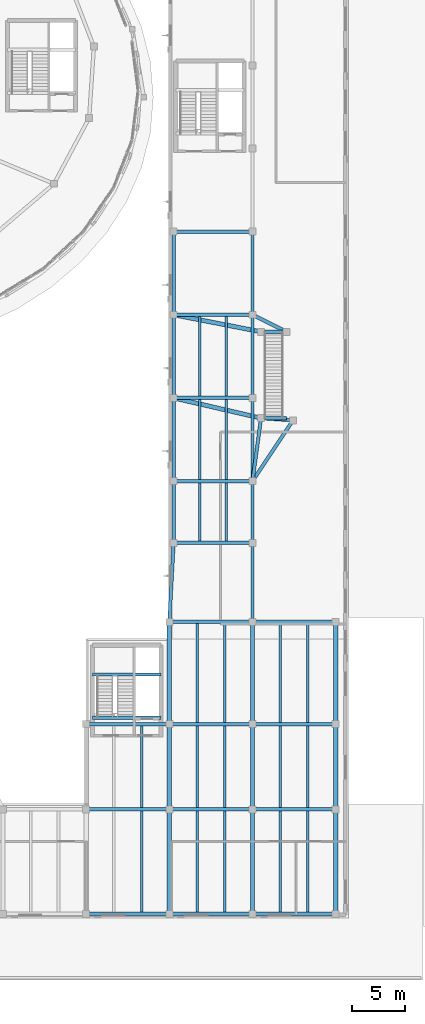
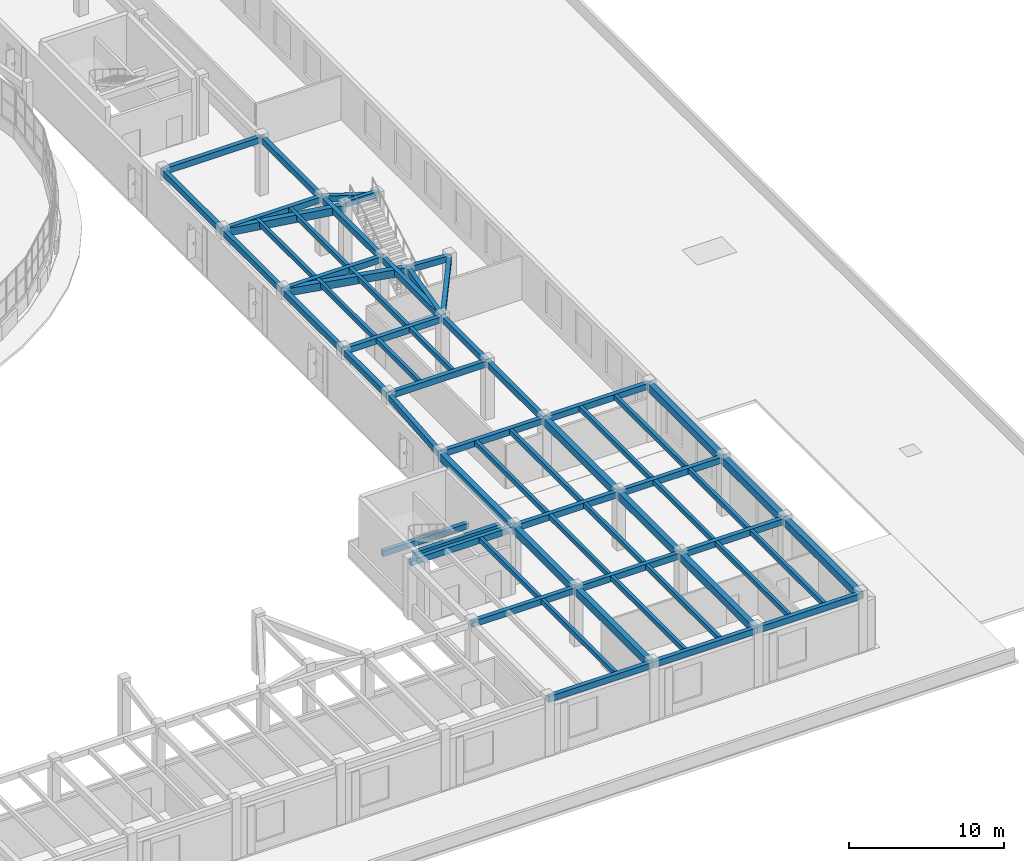
# One storey, part 63 of 105: 65 beams.
"""IFC4 building model written with IfcOpenShell, lengths in metres."""

from ifc_helpers import new_model, si_unit, direction, frame, origin, origin_2d, place, context, subcontext, project, spatial, rectangle, extrude, material, material_profile, profile_set, type_object, element, save


model = new_model("IFC4")

# Units and contexts
model_context = context("Model", 3, precision=1e-05, world=origin(), true_north=direction((0.0, 1.0)))
body_context = subcontext(model_context, "Body", "Model", "MODEL_VIEW")
ifc_project = project(units=[si_unit("LENGTHUNIT", "METRE"), si_unit("AREAUNIT", "SQUARE_METRE"), si_unit("VOLUMEUNIT", "CUBIC_METRE"), si_unit("PLANEANGLEUNIT", "RADIAN"), si_unit("MASSUNIT", "GRAM", prefix="KILO")], contexts=[model_context])

# Site, building, storey
site_placement = place(None, origin())
site = spatial("IfcSite", under=ifc_project, at=site_placement, CompositionType="ELEMENT")
building_placement = place(site_placement, origin())
building = spatial("IfcBuilding", under=site, at=building_placement, Name="Pelvatis Terrace Science Centre", CompositionType="ELEMENT")
storey_placement = place(building_placement, frame((0.0, 0.0, 10.199951171875)))
storey = spatial("IfcBuildingStorey", under=building, at=storey_placement, Name="L02", CompositionType="ELEMENT", Elevation=10.199951171875)

# Beams
ifc_material_1 = material(Name="Concrete C35/45", Category="concrete")
ifc_material_profile_1 = material_profile(ifc_material_1, rectangle(XDim=0.300048828125, YDim=0.449951171875, at=origin_2d()), Name="RC-BM 300x450")
ifc_profile_set_1 = profile_set([ifc_material_profile_1], Name="Concrete C35/45")
beam_type_1 = type_object("IfcBeamType", Name="BM-RC-300x450", PredefinedType="BEAM", material=ifc_profile_set_1)
for number, where, z_axis, x_axis, name in (
    (1, (149.0, 52.699951171875, -0.25), (1.0, 0.0, 0.0), (0.0, 1.0, 0.0), "Monumental stair landing beam 5"),
    (2, (149.0, 60.800048828125, 4.550048828125), (1.0, 0.0, 0.0), (0.0, 1.0, 0.0), "Monumental stair landing beam 6"),
):
    element("IfcBeam", number, at=place(storey_placement, frame(where, z_axis=z_axis, x_axis=x_axis)), inside=storey, type_object=beam_type_1, Name=name, PredefinedType="BEAM", context=body_context, shape_type="SweptSolid", body=[
        extrude(rectangle(XDim=0.300048828125, YDim=0.449951171875, at=origin_2d()), origin(), (0.0, 0.0, 1.0), 2.39990234375),
    ])
beam_1_placement = place(storey_placement, frame((133.199951171875, 28.64990234375, 1.97509765625), z_axis=(1.0, 0.0, 0.0), x_axis=(0.0, 1.0, 0.0)))
element("IfcBeam", 3, at=beam_1_placement, inside=storey, type_object=beam_type_1, Name="Core C4 half-landing beam (L02)", PredefinedType="BEAM", context=body_context, shape_type="SweptSolid", body=[
    extrude(rectangle(XDim=0.300048828125, YDim=0.449951171875, at=origin_2d()), origin(), (0.0, 0.0, 1.0), 6.400146484375),
])
ifc_material_2 = material(Name="Concrete C35/45", Category="concrete")
ifc_material_profile_2 = material_profile(ifc_material_2, rectangle(XDim=0.320068359375, YDim=0.47998046875, at=origin_2d()), Name="RC-BM 320x480")
ifc_profile_set_2 = profile_set([ifc_material_profile_2], Name="Concrete C35/45")
beam_type_2 = type_object("IfcBeamType", Name="BM-RC-320x480", PredefinedType="BEAM", material=ifc_profile_set_2)
beam_2_placement = place(storey_placement, frame((133.199951171875, 24.60009765625, 4.300048828125), z_axis=(1.0, 0.0, 0.0), x_axis=(0.0, 1.0, 0.0)))
element("IfcBeam", 4, at=beam_2_placement, inside=storey, type_object=beam_type_2, Name="Core C4 stair header beam (L02)", PredefinedType="BEAM", context=body_context, shape_type="SweptSolid", body=[
    extrude(rectangle(XDim=0.320068359375, YDim=0.47998046875, at=origin_2d()), origin(), (0.0, 0.0, 1.0), 6.400146484375),
])
for number, where, z_axis, x_axis, name in (
    (5, (132.60009765625, 6.199951171875, 4.300048828125), (1.0, 0.0, 0.0), (0.0, 1.0, 0.0), "Beam BM-L02-2955"),
    (6, (132.60009765625, 16.0, 4.300048828125), (1.0, 0.0, 0.0), (0.0, 1.0, 0.0), "Beam BM-L02-2957"),
    (7, (132.60009765625, 24.0, 4.300048828125), (1.0, 0.0, 0.0), (0.0, 1.0, 0.0), "Beam BM-L02-2958"),
):
    element("IfcBeam", number, at=place(storey_placement, frame(where, z_axis=z_axis, x_axis=x_axis)), inside=storey, type_object=beam_type_2, Name=name, PredefinedType="BEAM", context=body_context, shape_type="SweptSolid", body=[
        extrude(rectangle(XDim=0.320068359375, YDim=0.47998046875, at=origin_2d()), origin(), (0.0, 0.0, 1.0), 7.7998046875),
    ])
for number, where, z_axis, x_axis, name in (
    (8, (140.39990234375, 6.199951171875, 4.300048828125), (1.0, 0.0, 0.0), (0.0, 1.0, 0.0), "Beam BM-L02-2960"),
    (9, (140.39990234375, 16.0, 4.300048828125), (1.0, 0.0, 0.0), (0.0, 1.0, 0.0), "Beam BM-L02-2962"),
    (10, (140.39990234375, 24.0, 4.300048828125), (1.0, 0.0, 0.0), (0.0, 1.0, 0.0), "Beam BM-L02-2964"),
    (11, (140.39990234375, 33.60009765625, 4.300048828125), (1.0, 0.0, 0.0), (0.0, 1.0, 0.0), "Beam BM-L02-2965"),
):
    element("IfcBeam", number, at=place(storey_placement, frame(where, z_axis=z_axis, x_axis=x_axis)), inside=storey, type_object=beam_type_2, Name=name, PredefinedType="BEAM", context=body_context, shape_type="SweptSolid", body=[
        extrude(rectangle(XDim=0.320068359375, YDim=0.47998046875, at=origin_2d()), origin(), (0.0, 0.0, 1.0), 7.800048828125),
    ])
beam_3_placement = place(storey_placement, frame((140.39990234375, 33.60009765625, 4.300048828125), z_axis=(0.05399567722, 0.998541169327, 0.0), x_axis=(-0.998541169327, 0.05399567722, 0.0)))
element("IfcBeam", 12, at=beam_3_placement, inside=storey, type_object=beam_type_2, Name="Beam BM-L02-2966", PredefinedType="BEAM", context=body_context, shape_type="SweptSolid", body=[
    extrude(rectangle(XDim=0.320068359375, YDim=0.47998046875, at=origin_2d()), origin(), (0.0, 0.0, 1.0), 7.41064453125),
])
for number, where, z_axis, x_axis, name in (
    (13, (148.199951171875, 6.199951171875, 4.300048828125), (1.0, 0.0, 0.0), (0.0, 1.0, 0.0), "Beam BM-L02-2968"),
    (14, (148.199951171875, 16.0, 4.300048828125), (1.0, 0.0, 0.0), (0.0, 1.0, 0.0), "Beam BM-L02-2970"),
    (15, (148.199951171875, 24.0, 4.300048828125), (1.0, 0.0, 0.0), (0.0, 1.0, 0.0), "Beam BM-L02-2972"),
    (16, (148.199951171875, 33.60009765625, 4.300048828125), (1.0, 0.0, 0.0), (0.0, 1.0, 0.0), "Beam BM-L02-2973"),
):
    element("IfcBeam", number, at=place(storey_placement, frame(where, z_axis=z_axis, x_axis=x_axis)), inside=storey, type_object=beam_type_2, Name=name, PredefinedType="BEAM", context=body_context, shape_type="SweptSolid", body=[
        extrude(rectangle(XDim=0.320068359375, YDim=0.47998046875, at=origin_2d()), origin(), (0.0, 0.0, 1.0), 7.800048828125),
    ])
beam_4_placement = place(storey_placement, frame((148.199951171875, 33.60009765625, 4.300048828125), z_axis=(0.0, 1.0, 0.0), x_axis=(-1.0, 0.0, 0.0)))
element("IfcBeam", 17, at=beam_4_placement, inside=storey, type_object=beam_type_2, Name="Beam BM-L02-2974", PredefinedType="BEAM", context=body_context, shape_type="SweptSolid", body=[
    extrude(rectangle(XDim=0.320068359375, YDim=0.47998046875, at=origin_2d()), origin(), (0.0, 0.0, 1.0), 7.39990234375),
])
beam_5_placement = place(storey_placement, frame((140.800048828125, 41.0, 4.300048828125), z_axis=(0.0, 1.0, 0.0), x_axis=(-1.0, 0.0, 0.0)))
element("IfcBeam", 18, at=beam_5_placement, inside=storey, type_object=beam_type_2, Name="Beam BM-L02-2978", PredefinedType="BEAM", context=body_context, shape_type="SweptSolid", body=[
    extrude(rectangle(XDim=0.320068359375, YDim=0.47998046875, at=origin_2d()), origin(), (0.0, 0.0, 1.0), 5.800048828125),
])
beam_6_placement = place(storey_placement, frame((140.800048828125, 41.0, 4.300048828125), z_axis=(1.0, 0.0, 0.0), x_axis=(0.0, 1.0, 0.0)))
element("IfcBeam", 19, at=beam_6_placement, inside=storey, type_object=beam_type_2, Name="Beam BM-L02-2979", PredefinedType="BEAM", context=body_context, shape_type="SweptSolid", body=[
    extrude(rectangle(XDim=0.320068359375, YDim=0.47998046875, at=origin_2d()), origin(), (0.0, 0.0, 1.0), 7.39990234375),
])
beam_7_placement = place(storey_placement, frame((140.800048828125, 46.800048828125, 4.300048828125), z_axis=(0.0, 1.0, 0.0), x_axis=(-1.0, 0.0, 0.0)))
element("IfcBeam", 20, at=beam_7_placement, inside=storey, type_object=beam_type_2, Name="Beam BM-L02-2980", PredefinedType="BEAM", context=body_context, shape_type="SweptSolid", body=[
    extrude(rectangle(XDim=0.320068359375, YDim=0.47998046875, at=origin_2d()), origin(), (0.0, 0.0, 1.0), 7.800048828125),
])
beam_8_placement = place(storey_placement, frame((140.800048828125, 46.800048828125, 4.300048828125), z_axis=(1.0, 0.0, 0.0), x_axis=(0.0, 1.0, 0.0)))
element("IfcBeam", 21, at=beam_8_placement, inside=storey, type_object=beam_type_2, Name="Beam BM-L02-2981", PredefinedType="BEAM", context=body_context, shape_type="SweptSolid", body=[
    extrude(rectangle(XDim=0.320068359375, YDim=0.47998046875, at=origin_2d()), origin(), (0.0, 0.0, 1.0), 7.39990234375),
])
beam_9_placement = place(storey_placement, frame((140.800048828125, 54.60009765625, 4.300048828125), z_axis=(0.0, 1.0, 0.0), x_axis=(-1.0, 0.0, 0.0)))
element("IfcBeam", 22, at=beam_9_placement, inside=storey, type_object=beam_type_2, Name="Beam BM-L02-2982", PredefinedType="BEAM", context=body_context, shape_type="SweptSolid", body=[
    extrude(rectangle(XDim=0.320068359375, YDim=0.47998046875, at=origin_2d()), origin(), (0.0, 0.0, 1.0), 7.7998046875),
])
beam_10_placement = place(storey_placement, frame((140.800048828125, 54.60009765625, 4.300048828125), z_axis=(1.0, 0.0, 0.0), x_axis=(0.0, 1.0, 0.0)))
element("IfcBeam", 23, at=beam_10_placement, inside=storey, type_object=beam_type_2, Name="Beam BM-L02-2983", PredefinedType="BEAM", context=body_context, shape_type="SweptSolid", body=[
    extrude(rectangle(XDim=0.320068359375, YDim=0.47998046875, at=origin_2d()), origin(), (0.0, 0.0, 1.0), 7.39990234375),
])
beam_11_placement = place(storey_placement, frame((140.800048828125, 62.39990234375, 4.300048828125), z_axis=(0.0, 1.0, 0.0), x_axis=(-1.0, 0.0, 0.0)))
element("IfcBeam", 24, at=beam_11_placement, inside=storey, type_object=beam_type_2, Name="Beam BM-L02-2985", PredefinedType="BEAM", context=body_context, shape_type="SweptSolid", body=[
    extrude(rectangle(XDim=0.320068359375, YDim=0.47998046875, at=origin_2d()), origin(), (0.0, 0.0, 1.0), 7.800048828125),
])
for number, where, z_axis, x_axis, name in (
    (25, (140.800048828125, 62.39990234375, 4.300048828125), (1.0, 0.0, 0.0), (0.0, 1.0, 0.0), "Beam BM-L02-2986"),
    (26, (140.800048828125, 70.199951171875, 4.300048828125), (1.0, 0.0, 0.0), (0.0, 1.0, 0.0), "Beam BM-L02-2988"),
):
    element("IfcBeam", number, at=place(storey_placement, frame(where, z_axis=z_axis, x_axis=x_axis)), inside=storey, type_object=beam_type_2, Name=name, PredefinedType="BEAM", context=body_context, shape_type="SweptSolid", body=[
        extrude(rectangle(XDim=0.320068359375, YDim=0.47998046875, at=origin_2d()), origin(), (0.0, 0.0, 1.0), 7.39990234375),
    ])
beam_12_placement = place(storey_placement, frame((148.199951171875, 41.0, 4.300048828125), z_axis=(0.0, 1.0, 0.0), x_axis=(-1.0, 0.0, 0.0)))
element("IfcBeam", 27, at=beam_12_placement, inside=storey, type_object=beam_type_2, Name="Beam BM-L02-2990", PredefinedType="BEAM", context=body_context, shape_type="SweptSolid", body=[
    extrude(rectangle(XDim=0.320068359375, YDim=0.47998046875, at=origin_2d()), origin(), (0.0, 0.0, 1.0), 5.800048828125),
])
beam_13_placement = place(storey_placement, frame((148.199951171875, 46.800048828125, 4.300048828125), z_axis=(0.0, 1.0, 0.0), x_axis=(-1.0, 0.0, 0.0)))
element("IfcBeam", 28, at=beam_13_placement, inside=storey, type_object=beam_type_2, Name="Beam BM-L02-2991", PredefinedType="BEAM", context=body_context, shape_type="SweptSolid", body=[
    extrude(rectangle(XDim=0.320068359375, YDim=0.47998046875, at=origin_2d()), origin(), (0.0, 0.0, 1.0), 7.800048828125),
])
beam_14_placement = place(storey_placement, frame((148.199951171875, 46.800048828125, 4.300048828125), z_axis=(0.554708420396, 0.832044811499, 0.0), x_axis=(-0.832044811499, 0.554708420396, 0.0)))
element("IfcBeam", 29, at=beam_14_placement, inside=storey, type_object=beam_type_2, Name="Beam BM-L02-2992", PredefinedType="BEAM", context=body_context, shape_type="SweptSolid", body=[
    extrude(rectangle(XDim=0.320068359375, YDim=0.47998046875, at=origin_2d()), origin(), (0.0, 0.0, 1.0), 6.8505859375),
])
beam_15_placement = place(storey_placement, frame((148.199951171875, 46.800048828125, 4.300048828125), z_axis=(0.134373909798, 0.990930700082, 0.0), x_axis=(-0.990930700082, 0.134373909798, 0.0)))
element("IfcBeam", 30, at=beam_15_placement, inside=storey, type_object=beam_type_2, Name="Beam BM-L02-2993", PredefinedType="BEAM", context=body_context, shape_type="SweptSolid", body=[
    extrude(rectangle(XDim=0.320068359375, YDim=0.47998046875, at=origin_2d()), origin(), (0.0, 0.0, 1.0), 5.953857421875),
])
beam_16_placement = place(storey_placement, frame((148.199951171875, 54.60009765625, 4.300048828125), z_axis=(0.0, 1.0, 0.0), x_axis=(-1.0, 0.0, 0.0)))
element("IfcBeam", 31, at=beam_16_placement, inside=storey, type_object=beam_type_2, Name="Beam BM-L02-2994", PredefinedType="BEAM", context=body_context, shape_type="SweptSolid", body=[
    extrude(rectangle(XDim=0.320068359375, YDim=0.47998046875, at=origin_2d()), origin(), (0.0, 0.0, 1.0), 7.7998046875),
])
beam_17_placement = place(storey_placement, frame((148.199951171875, 62.39990234375, 4.300048828125), z_axis=(0.0, 1.0, 0.0), x_axis=(-1.0, 0.0, 0.0)))
element("IfcBeam", 32, at=beam_17_placement, inside=storey, type_object=beam_type_2, Name="Beam BM-L02-2995", PredefinedType="BEAM", context=body_context, shape_type="SweptSolid", body=[
    extrude(rectangle(XDim=0.320068359375, YDim=0.47998046875, at=origin_2d()), origin(), (0.0, 0.0, 1.0), 7.800048828125),
])
beam_18_placement = place(storey_placement, frame((148.199951171875, 62.39990234375, 4.300048828125), z_axis=(0.894440838876, -0.447186298707, 0.0), x_axis=(0.447186298707, 0.894440838876, 0.0)))
element("IfcBeam", 33, at=beam_18_placement, inside=storey, type_object=beam_type_2, Name="Beam BM-L02-2996", PredefinedType="BEAM", context=body_context, shape_type="SweptSolid", body=[
    extrude(rectangle(XDim=0.320068359375, YDim=0.47998046875, at=origin_2d()), origin(), (0.0, 0.0, 1.0), 3.57763671875),
])
beam_19_placement = place(storey_placement, frame((152.0, 52.5, 4.300048828125), z_axis=(-0.997786235602, 0.066502842363, 0.0), x_axis=(-0.066502842363, -0.997786235602, 0.0)))
element("IfcBeam", 34, at=beam_19_placement, inside=storey, type_object=beam_type_2, Name="Beam BM-L02-3008", PredefinedType="BEAM", context=body_context, shape_type="SweptSolid", body=[
    extrude(rectangle(XDim=0.320068359375, YDim=0.47998046875, at=origin_2d()), origin(), (0.0, 0.0, 1.0), 3.006591796875),
])
ifc_material_3 = material(Name="Concrete C35/45", Category="concrete")
ifc_material_profile_3 = material_profile(ifc_material_3, rectangle(XDim=0.39990234375, YDim=0.60009765625, at=origin_2d()), Name="RC-BM 400x600")
ifc_profile_set_3 = profile_set([ifc_material_profile_3], Name="Concrete C35/45")
beam_type_3 = type_object("IfcBeamType", Name="BM-RC-400x600", PredefinedType="BEAM", material=ifc_profile_set_3)
beam_20_placement = place(storey_placement, frame((140.39990234375, 6.199951171875, 4.239990234375), z_axis=(0.0, 1.0, 0.0), x_axis=(-1.0, 0.0, 0.0)))
element("IfcBeam", 35, at=beam_20_placement, inside=storey, type_object=beam_type_3, Name="Beam BM-L02-2959", PredefinedType="BEAM", context=body_context, shape_type="SweptSolid", body=[
    extrude(rectangle(XDim=0.39990234375, YDim=0.60009765625, at=origin_2d()), origin(), (0.0, 0.0, 1.0), 9.800048828125),
])
beam_21_placement = place(storey_placement, frame((140.39990234375, 16.0, 4.239990234375), z_axis=(0.0, 1.0, 0.0), x_axis=(-1.0, 0.0, 0.0)))
element("IfcBeam", 36, at=beam_21_placement, inside=storey, type_object=beam_type_3, Name="Beam BM-L02-2961", PredefinedType="BEAM", context=body_context, shape_type="SweptSolid", body=[
    extrude(rectangle(XDim=0.39990234375, YDim=0.60009765625, at=origin_2d()), origin(), (0.0, 0.0, 1.0), 8.0),
])
beam_22_placement = place(storey_placement, frame((140.39990234375, 24.0, 4.239990234375), z_axis=(0.0, 1.0, 0.0), x_axis=(-1.0, 0.0, 0.0)))
element("IfcBeam", 37, at=beam_22_placement, inside=storey, type_object=beam_type_3, Name="Beam BM-L02-2963", PredefinedType="BEAM", context=body_context, shape_type="SweptSolid", body=[
    extrude(rectangle(XDim=0.39990234375, YDim=0.60009765625, at=origin_2d()), origin(), (0.0, 0.0, 1.0), 9.60009765625),
])
beam_23_placement = place(storey_placement, frame((148.199951171875, 6.199951171875, 4.239990234375), z_axis=(0.0, 1.0, 0.0), x_axis=(-1.0, 0.0, 0.0)))
element("IfcBeam", 38, at=beam_23_placement, inside=storey, type_object=beam_type_3, Name="Beam BM-L02-2967", PredefinedType="BEAM", context=body_context, shape_type="SweptSolid", body=[
    extrude(rectangle(XDim=0.39990234375, YDim=0.60009765625, at=origin_2d()), origin(), (0.0, 0.0, 1.0), 9.800048828125),
])
beam_24_placement = place(storey_placement, frame((148.199951171875, 16.0, 4.239990234375), z_axis=(0.0, 1.0, 0.0), x_axis=(-1.0, 0.0, 0.0)))
element("IfcBeam", 39, at=beam_24_placement, inside=storey, type_object=beam_type_3, Name="Beam BM-L02-2969", PredefinedType="BEAM", context=body_context, shape_type="SweptSolid", body=[
    extrude(rectangle(XDim=0.39990234375, YDim=0.60009765625, at=origin_2d()), origin(), (0.0, 0.0, 1.0), 8.0),
])
beam_25_placement = place(storey_placement, frame((148.199951171875, 24.0, 4.239990234375), z_axis=(0.0, 1.0, 0.0), x_axis=(-1.0, 0.0, 0.0)))
element("IfcBeam", 40, at=beam_25_placement, inside=storey, type_object=beam_type_3, Name="Beam BM-L02-2971", PredefinedType="BEAM", context=body_context, shape_type="SweptSolid", body=[
    extrude(rectangle(XDim=0.39990234375, YDim=0.60009765625, at=origin_2d()), origin(), (0.0, 0.0, 1.0), 9.60009765625),
])
beam_26_placement = place(storey_placement, frame((156.0, 6.199951171875, 4.239990234375), z_axis=(0.0, 1.0, 0.0), x_axis=(-1.0, 0.0, 0.0)))
element("IfcBeam", 41, at=beam_26_placement, inside=storey, type_object=beam_type_3, Name="Beam BM-L02-2975", PredefinedType="BEAM", context=body_context, shape_type="SweptSolid", body=[
    extrude(rectangle(XDim=0.39990234375, YDim=0.60009765625, at=origin_2d()), origin(), (0.0, 0.0, 1.0), 9.800048828125),
])
beam_27_placement = place(storey_placement, frame((156.0, 16.0, 4.239990234375), z_axis=(0.0, 1.0, 0.0), x_axis=(-1.0, 0.0, 0.0)))
element("IfcBeam", 42, at=beam_27_placement, inside=storey, type_object=beam_type_3, Name="Beam BM-L02-2976", PredefinedType="BEAM", context=body_context, shape_type="SweptSolid", body=[
    extrude(rectangle(XDim=0.39990234375, YDim=0.60009765625, at=origin_2d()), origin(), (0.0, 0.0, 1.0), 8.0),
])
beam_28_placement = place(storey_placement, frame((156.0, 24.0, 4.239990234375), z_axis=(0.0, 1.0, 0.0), x_axis=(-1.0, 0.0, 0.0)))
element("IfcBeam", 43, at=beam_28_placement, inside=storey, type_object=beam_type_3, Name="Beam BM-L02-2977", PredefinedType="BEAM", context=body_context, shape_type="SweptSolid", body=[
    extrude(rectangle(XDim=0.39990234375, YDim=0.60009765625, at=origin_2d()), origin(), (0.0, 0.0, 1.0), 9.60009765625),
])
beam_29_placement = place(storey_placement, frame((140.800048828125, 54.60009765625, 4.239990234375), z_axis=(0.974186455713, -0.22574487703, 0.0), x_axis=(0.22574487703, 0.974186455713, 0.0)))
element("IfcBeam", 44, at=beam_29_placement, inside=storey, type_object=beam_type_3, Name="Beam BM-L02-2984", PredefinedType="BEAM", context=body_context, shape_type="SweptSolid", body=[
    extrude(rectangle(XDim=0.39990234375, YDim=0.60009765625, at=origin_2d()), origin(), (0.0, 0.0, 1.0), 8.417236328125),
])
beam_30_placement = place(storey_placement, frame((140.800048828125, 62.39990234375, 4.239990234375), z_axis=(0.981493673232, -0.191494567562, 0.0), x_axis=(0.191494567562, 0.981493673232, 0.0)))
element("IfcBeam", 45, at=beam_30_placement, inside=storey, type_object=beam_type_3, Name="Beam BM-L02-2987", PredefinedType="BEAM", context=body_context, shape_type="SweptSolid", body=[
    extrude(rectangle(XDim=0.39990234375, YDim=0.60009765625, at=origin_2d()), origin(), (0.0, 0.0, 1.0), 8.3544921875),
])
ifc_material_4 = material(Name="Concrete C35/45", Category="concrete")
ifc_material_profile_4 = material_profile(ifc_material_4, rectangle(XDim=0.239990234375, YDim=0.3798828125, at=origin_2d()), Name="RC-JST 240x380")
ifc_profile_set_4 = profile_set([ifc_material_profile_4], Name="Concrete C35/45")
beam_type_4 = type_object("IfcBeamType", Name="JST-RC-240x380", PredefinedType="JOIST", material=ifc_profile_set_4)
for number, where, z_axis, x_axis, name in (
    (46, (137.800048828125, 6.360107421875, 4.35009765625), (0.0, 1.0, 0.0), (-1.0, 0.0, 0.0), "Secondary floor joist J-L02-2166"),
    (47, (143.0, 6.360107421875, 4.35009765625), (0.0, 1.0, 0.0), (-1.0, 0.0, 0.0), "Secondary floor joist J-L02-2167"),
    (48, (145.60009765625, 6.360107421875, 4.35009765625), (0.0, 1.0, 0.0), (-1.0, 0.0, 0.0), "Secondary floor joist J-L02-2168"),
    (49, (150.800048828125, 6.360107421875, 4.35009765625), (0.0, 1.0, 0.0), (-1.0, 0.0, 0.0), "Secondary floor joist J-L02-2169"),
    (50, (153.39990234375, 6.360107421875, 4.35009765625), (0.0, 1.0, 0.0), (-1.0, 0.0, 0.0), "Secondary floor joist J-L02-2170"),
):
    element("IfcBeam", number, at=place(storey_placement, frame(where, z_axis=z_axis, x_axis=x_axis)), inside=storey, type_object=beam_type_4, Name=name, PredefinedType="JOIST", context=body_context, shape_type="SweptSolid", body=[
        extrude(rectangle(XDim=0.239990234375, YDim=0.3798828125, at=origin_2d()), origin(), (0.0, 0.0, 1.0), 9.47998046875),
    ])
for number, where, z_axis, x_axis, name in (
    (51, (137.800048828125, 16.159912109375, 4.35009765625), (0.0, 1.0, 0.0), (-1.0, 0.0, 0.0), "Secondary floor joist J-L02-2172"),
    (52, (143.0, 16.159912109375, 4.35009765625), (0.0, 1.0, 0.0), (-1.0, 0.0, 0.0), "Secondary floor joist J-L02-2173"),
    (53, (145.60009765625, 16.159912109375, 4.35009765625), (0.0, 1.0, 0.0), (-1.0, 0.0, 0.0), "Secondary floor joist J-L02-2174"),
    (54, (150.800048828125, 16.159912109375, 4.35009765625), (0.0, 1.0, 0.0), (-1.0, 0.0, 0.0), "Secondary floor joist J-L02-2175"),
    (55, (153.39990234375, 16.159912109375, 4.35009765625), (0.0, 1.0, 0.0), (-1.0, 0.0, 0.0), "Secondary floor joist J-L02-2176"),
):
    element("IfcBeam", number, at=place(storey_placement, frame(where, z_axis=z_axis, x_axis=x_axis)), inside=storey, type_object=beam_type_4, Name=name, PredefinedType="JOIST", context=body_context, shape_type="SweptSolid", body=[
        extrude(rectangle(XDim=0.239990234375, YDim=0.3798828125, at=origin_2d()), origin(), (0.0, 0.0, 1.0), 7.68017578125),
    ])
for number, where, z_axis, x_axis, name in (
    (56, (143.0, 24.159912109375, 4.35009765625), (0.0, 1.0, 0.0), (-1.0, 0.0, 0.0), "Secondary floor joist J-L02-2177"),
    (57, (145.60009765625, 24.159912109375, 4.35009765625), (0.0, 1.0, 0.0), (-1.0, 0.0, 0.0), "Secondary floor joist J-L02-2178"),
    (58, (150.800048828125, 24.159912109375, 4.35009765625), (0.0, 1.0, 0.0), (-1.0, 0.0, 0.0), "Secondary floor joist J-L02-2179"),
    (59, (153.39990234375, 24.159912109375, 4.35009765625), (0.0, 1.0, 0.0), (-1.0, 0.0, 0.0), "Secondary floor joist J-L02-2180"),
):
    element("IfcBeam", number, at=place(storey_placement, frame(where, z_axis=z_axis, x_axis=x_axis)), inside=storey, type_object=beam_type_4, Name=name, PredefinedType="JOIST", context=body_context, shape_type="SweptSolid", body=[
        extrude(rectangle(XDim=0.239990234375, YDim=0.3798828125, at=origin_2d()), origin(), (0.0, 0.0, 1.0), 9.280029296875),
    ])
for number, where, z_axis, x_axis, name in (
    (60, (143.2666015625, 41.159912109375, 4.35009765625), (0.0, 1.0, 0.0), (-1.0, 0.0, 0.0), "Secondary floor joist J-L02-2181"),
    (61, (145.7333984375, 41.159912109375, 4.35009765625), (0.0, 1.0, 0.0), (-1.0, 0.0, 0.0), "Secondary floor joist J-L02-2182"),
):
    element("IfcBeam", number, at=place(storey_placement, frame(where, z_axis=z_axis, x_axis=x_axis)), inside=storey, type_object=beam_type_4, Name=name, PredefinedType="JOIST", context=body_context, shape_type="SweptSolid", body=[
        extrude(rectangle(XDim=0.239990234375, YDim=0.3798828125, at=origin_2d()), origin(), (0.0, 0.0, 1.0), 5.47998046875),
    ])
for number, where, z_axis, x_axis, name in (
    (62, (143.2666015625, 46.9599609375, 4.35009765625), (0.0, 1.0, 0.0), (-1.0, 0.0, 0.0), "Secondary floor joist J-L02-2183"),
    (63, (145.7333984375, 46.9599609375, 4.35009765625), (0.0, 1.0, 0.0), (-1.0, 0.0, 0.0), "Secondary floor joist J-L02-2184"),
    (64, (143.2666015625, 54.760009765625, 4.35009765625), (0.0, 1.0, 0.0), (-1.0, 0.0, 0.0), "Secondary floor joist J-L02-2185"),
    (65, (145.7333984375, 54.760009765625, 4.35009765625), (0.0, 1.0, 0.0), (-1.0, 0.0, 0.0), "Secondary floor joist J-L02-2186"),
):
    element("IfcBeam", number, at=place(storey_placement, frame(where, z_axis=z_axis, x_axis=x_axis)), inside=storey, type_object=beam_type_4, Name=name, PredefinedType="JOIST", context=body_context, shape_type="SweptSolid", body=[
        extrude(rectangle(XDim=0.239990234375, YDim=0.3798828125, at=origin_2d()), origin(), (0.0, 0.0, 1.0), 7.47998046875),
    ])

save(model, "model.ifc")
